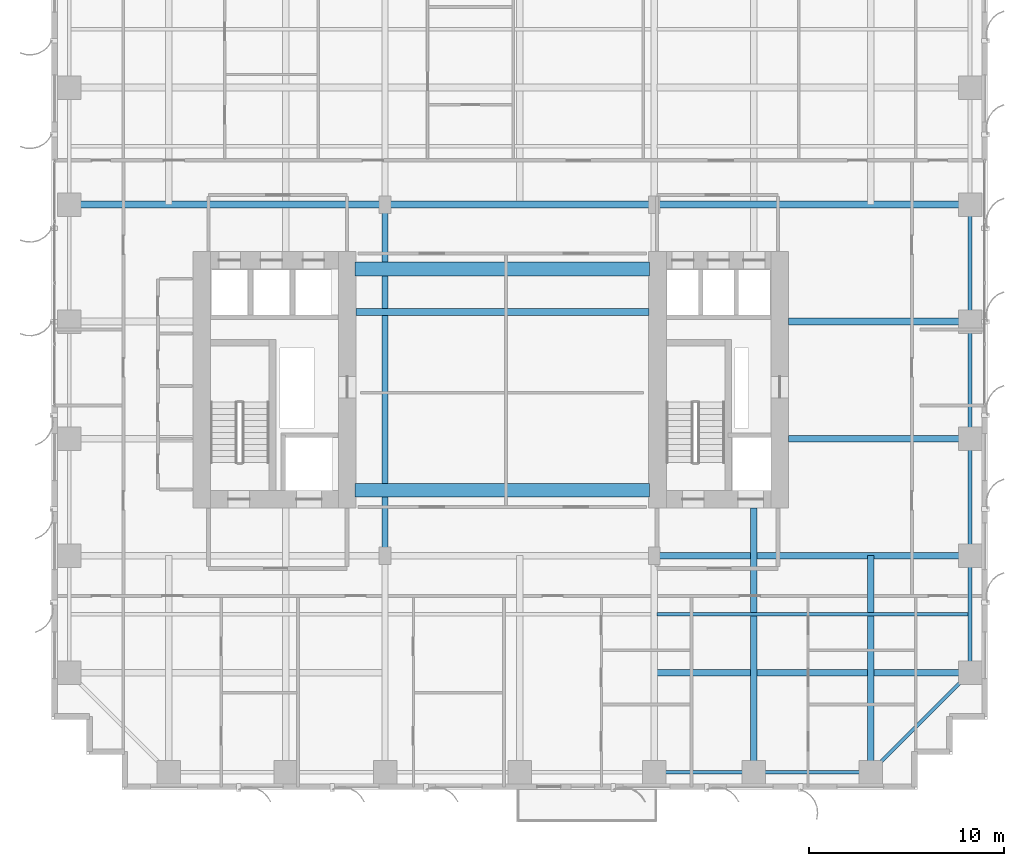
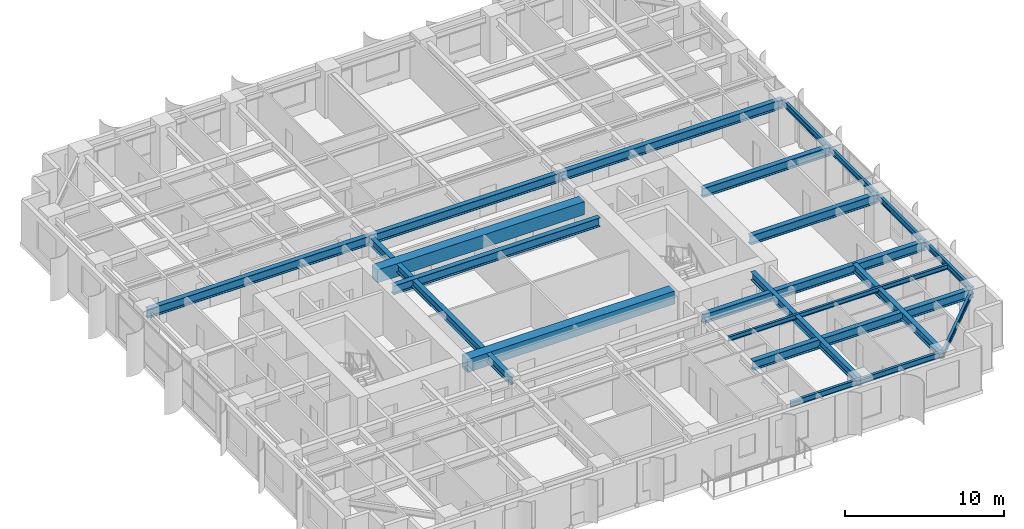
# One storey, part 3 of 17: 21 beams.
"""IFC4 building model written with IfcOpenShell, lengths in metres."""

from ifc_helpers import new_model, si_unit, direction, frame, origin, origin_2d, place, context, subcontext, project, spatial, rectangle, i_section, extrude, source, transform, mapped, material, material_profile, profile_set, type_object, element, save


model = new_model("IFC4")

# Units and contexts
model_context = context("Model", 3, precision=1e-05, world=origin(), true_north=direction((0.0, 1.0)))
body_context = subcontext(model_context, "Body", "Model", "MODEL_VIEW")
ifc_project = project(units=[si_unit("LENGTHUNIT", "METRE"), si_unit("AREAUNIT", "SQUARE_METRE"), si_unit("VOLUMEUNIT", "CUBIC_METRE"), si_unit("PLANEANGLEUNIT", "RADIAN"), si_unit("MASSUNIT", "GRAM", prefix="KILO")], contexts=[model_context])

# Site, building, storey
site_placement = place(None, origin())
site = spatial("IfcSite", under=ifc_project, at=site_placement, CompositionType="ELEMENT")
building_placement = place(site_placement, origin())
building = spatial("IfcBuilding", under=site, at=building_placement, Name="Khoralis Quay Care Tower", CompositionType="ELEMENT")
storey_placement = place(building_placement, frame((0.0, 0.0, 58.5)))
storey = spatial("IfcBuildingStorey", under=building, at=storey_placement, Name="L15", CompositionType="ELEMENT", Elevation=58.5)

# Beams
ifc_material_1 = material(Name="Concrete C80/95", Category="concrete")
ifc_material_profile_1 = material_profile(ifc_material_1, rectangle(XDim=0.699951171875, YDim=1.0, at=origin_2d()), Name="Concrete C80/95")
ifc_profile_set_1 = profile_set([ifc_material_profile_1], Name="Concrete C80/95")
beam_type_1 = type_object("IfcBeamType", Name="CB-RC700X1000", PredefinedType="LINTEL", material=ifc_profile_set_1)
shared_shape_1 = source(origin(), body_context, "Body", "SweptSolid", [
    extrude(rectangle(XDim=0.699951171875, YDim=1.0, at=origin_2d()), origin(), (0.0, 0.0, 1.0), 15.079833984375),
])
for number, where, z_axis, x_axis, name in (
    (1, (15.570068359375, 15.35009765625, 2.820068359375), (1.0, 0.0, 0.0), (0.0, 1.0, 0.0), "L15 South Core Coupling Lintel"),
    (2, (15.570068359375, 26.699951171875, 2.820068359375), (1.0, 0.0, 0.0), (0.0, 1.0, 0.0), "L15 North Core Coupling Lintel"),
):
    element("IfcBeam", number, at=place(storey_placement, frame(where, z_axis=z_axis, x_axis=x_axis)), inside=storey, type_object=beam_type_1, Name=name, PredefinedType="LINTEL", context=body_context, shape_type="MappedRepresentation", body=[
        mapped(shared_shape_1, transform((0.0, 0.0, 0.0), scale=1.0)),
    ])
ifc_material_2 = material(Name="Steel S355", Category="steel")
ifc_material_profile_2 = material_profile(ifc_material_2, i_section(OverallWidth=0.18994140625, OverallDepth=0.449951171875, WebThickness=0.009521484375, FlangeThickness=0.0146484375, FilletRadius=0.02099609375, at=origin_2d()), Name="Steel S355")
ifc_profile_set_2 = profile_set([ifc_material_profile_2], Name="Steel S355")
beam_type_2 = type_object("IfcBeamType", Name="BM-IPE450", PredefinedType="SPANDREL", material=ifc_profile_set_2)
shared_shape_2 = source(origin(), body_context, "Body", "SweptSolid", [
    extrude(i_section(OverallWidth=0.18994140625, OverallDepth=0.449951171875, WebThickness=0.009521484375, FlangeThickness=0.0146484375, FilletRadius=0.02099609375, at=origin_2d()), origin(), (0.0, 0.0, 1.0), 6.0),
])
for number, where, z_axis, x_axis, name in (
    (3, (36.0, 0.89990234375, 3.094970703125), (1.0, 0.0, 0.0), (0.0, 1.0, 0.0), "BM-TSP-L15-06"),
    (4, (47.10009765625, 6.0, 3.094970703125), (0.0, 1.0, 0.0), (-1.0, 0.0, 0.0), "BM-TSP-L15-19"),
    (5, (47.10009765625, 12.0, 3.094970703125), (0.0, 1.0, 0.0), (-1.0, 0.0, 0.0), "BM-TSP-L15-20"),
    (6, (47.10009765625, 18.0, 3.094970703125), (0.0, 1.0, 0.0), (-1.0, 0.0, 0.0), "BM-TSP-L15-21"),
    (7, (47.10009765625, 24.0, 3.094970703125), (0.0, 1.0, 0.0), (-1.0, 0.0, 0.0), "BM-TSP-L15-22"),
):
    element("IfcBeam", number, at=place(storey_placement, frame(where, z_axis=z_axis, x_axis=x_axis)), inside=storey, type_object=beam_type_2, Name=name, PredefinedType="SPANDREL", context=body_context, shape_type="MappedRepresentation", body=[
        mapped(shared_shape_2, transform((0.0, 0.0, 0.0), scale=1.0)),
    ])
shared_shape_3 = source(origin(), body_context, "Body", "SweptSolid", [
    extrude(i_section(OverallWidth=0.18994140625, OverallDepth=0.449951171875, WebThickness=0.009521484375, FlangeThickness=0.0146484375, FilletRadius=0.02099609375, at=origin_2d()), origin(), (0.0, 0.0, 1.0), 5.10009765625),
])
beam_1_placement = place(storey_placement, frame((30.89990234375, 0.89990234375, 3.094970703125), z_axis=(1.0, 0.0, 0.0), x_axis=(0.0, 1.0, 0.0)))
element("IfcBeam", 8, at=beam_1_placement, inside=storey, type_object=beam_type_2, Name="BM-TSP-L15-05", PredefinedType="SPANDREL", context=body_context, shape_type="MappedRepresentation", body=[
    mapped(shared_shape_3, transform((0.0, 0.0, 0.0), scale=1.0)),
])
shared_shape_4 = source(origin(), body_context, "Body", "SweptSolid", [
    extrude(i_section(OverallWidth=0.18994140625, OverallDepth=0.449951171875, WebThickness=0.009521484375, FlangeThickness=0.0146484375, FilletRadius=0.02099609375, at=origin_2d()), origin(), (0.0, 0.0, 1.0), 7.212646484375),
])
beam_2_placement = place(storey_placement, frame((42.0, 0.89990234375, 3.094970703125), z_axis=(0.707106781187, 0.707106781187, 0.0), x_axis=(-0.707106781187, 0.707106781187, 0.0)))
element("IfcBeam", 9, at=beam_2_placement, inside=storey, type_object=beam_type_2, Name="BM-TCR-L15-26", PredefinedType="SPANDREL", context=body_context, shape_type="MappedRepresentation", body=[
    mapped(shared_shape_4, transform((0.0, 0.0, 0.0), scale=1.0)),
])
ifc_material_profile_3 = material_profile(ifc_material_2, i_section(OverallWidth=0.35498046875, OverallDepth=0.695068359375, WebThickness=0.015380859375, FlangeThickness=0.02490234375, FilletRadius=0.02001953125, at=origin_2d()), Name="Steel S355")
ifc_profile_set_3 = profile_set([ifc_material_profile_3], Name="Steel S355")
beam_type_3 = type_object("IfcBeamType", Name="BM-W690X217", PredefinedType="BEAM", material=ifc_profile_set_3)
shared_shape_5 = source(origin(), body_context, "Body", "SweptSolid", [
    extrude(i_section(OverallWidth=0.35498046875, OverallDepth=0.695068359375, WebThickness=0.015380859375, FlangeThickness=0.02490234375, FilletRadius=0.02001953125, at=origin_2d()), origin(), (0.0, 0.0, 1.0), 16.049560546875),
])
beam_3_placement = place(storey_placement, frame((31.050537109375, 6.0, 2.972412109375), z_axis=(1.0, 0.0, 0.0), x_axis=(0.0, 1.0, 0.0)))
element("IfcBeam", 10, at=beam_3_placement, inside=storey, type_object=beam_type_3, Name="BM-TGXE-L15-60", PredefinedType="BEAM", context=body_context, shape_type="MappedRepresentation", body=[
    mapped(shared_shape_5, transform((0.0, 0.0, 0.0), scale=1.0)),
])
shared_shape_6 = source(origin(), body_context, "Body", "SweptSolid", [
    extrude(i_section(OverallWidth=0.35498046875, OverallDepth=0.695068359375, WebThickness=0.015380859375, FlangeThickness=0.02490234375, FilletRadius=0.02001953125, at=origin_2d()), origin(), (0.0, 0.0, 1.0), 16.2001953125),
])
for number, where, z_axis, x_axis, name in (
    (11, (0.89990234375, 30.0, 2.972412109375), (1.0, 0.0, 0.0), (0.0, 1.0, 0.0), "BM-TGXW-L15-300"),
    (12, (30.89990234375, 12.0, 2.972412109375), (1.0, 0.0, 0.0), (0.0, 1.0, 0.0), "BM-TGXE-L15-120"),
    (13, (30.89990234375, 30.0, 2.972412109375), (1.0, 0.0, 0.0), (0.0, 1.0, 0.0), "BM-TGXE-L15-300"),
):
    element("IfcBeam", number, at=place(storey_placement, frame(where, z_axis=z_axis, x_axis=x_axis)), inside=storey, type_object=beam_type_3, Name=name, PredefinedType="BEAM", context=body_context, shape_type="MappedRepresentation", body=[
        mapped(shared_shape_6, transform((0.0, 0.0, 0.0), scale=1.0)),
    ])
shared_shape_7 = source(origin(), body_context, "Body", "SweptSolid", [
    extrude(i_section(OverallWidth=0.35498046875, OverallDepth=0.695068359375, WebThickness=0.015380859375, FlangeThickness=0.02490234375, FilletRadius=0.02001953125, at=origin_2d()), origin(), (0.0, 0.0, 1.0), 9.302001953125),
])
for number, where, z_axis, x_axis, name in (
    (14, (37.798095703125, 18.0, 2.972412109375), (1.0, 0.0, 0.0), (0.0, 1.0, 0.0), "BM-TGXE-L15-180"),
    (15, (37.798095703125, 24.0, 2.972412109375), (1.0, 0.0, 0.0), (0.0, 1.0, 0.0), "BM-TGXE-L15-240"),
):
    element("IfcBeam", number, at=place(storey_placement, frame(where, z_axis=z_axis, x_axis=x_axis)), inside=storey, type_object=beam_type_3, Name=name, PredefinedType="BEAM", context=body_context, shape_type="MappedRepresentation", body=[
        mapped(shared_shape_7, transform((0.0, 0.0, 0.0), scale=1.0)),
    ])
shared_shape_8 = source(origin(), body_context, "Body", "SweptSolid", [
    extrude(i_section(OverallWidth=0.35498046875, OverallDepth=0.695068359375, WebThickness=0.015380859375, FlangeThickness=0.02490234375, FilletRadius=0.02001953125, at=origin_2d()), origin(), (0.0, 0.0, 1.0), 13.7998046875),
])
beam_4_placement = place(storey_placement, frame((17.10009765625, 30.0, 2.972412109375), z_axis=(1.0, 0.0, 0.0), x_axis=(0.0, 1.0, 0.0)))
element("IfcBeam", 16, at=beam_4_placement, inside=storey, type_object=beam_type_3, Name="BM-TGCC-L15-300", PredefinedType="BEAM", context=body_context, shape_type="MappedRepresentation", body=[
    mapped(shared_shape_8, transform((0.0, 0.0, 0.0), scale=1.0)),
])
shared_shape_9 = source(origin(), body_context, "Body", "SweptSolid", [
    extrude(i_section(OverallWidth=0.35498046875, OverallDepth=0.695068359375, WebThickness=0.015380859375, FlangeThickness=0.02490234375, FilletRadius=0.02001953125, at=origin_2d()), origin(), (0.0, 0.0, 1.0), 15.024169921875),
])
beam_5_placement = place(storey_placement, frame((15.597900390625, 24.5, 2.972412109375), z_axis=(1.0, 0.0, 0.0), x_axis=(0.0, 1.0, 0.0)))
element("IfcBeam", 17, at=beam_5_placement, inside=storey, type_object=beam_type_3, Name="BM-TGCC-L15-245", PredefinedType="BEAM", context=body_context, shape_type="MappedRepresentation", body=[
    mapped(shared_shape_9, transform((0.0, 0.0, 0.0), scale=1.0)),
])
ifc_material_profile_4 = material_profile(ifc_material_2, i_section(OverallWidth=0.324951171875, OverallDepth=0.615966796875, WebThickness=0.013916015625, FlangeThickness=0.021484375, FilletRadius=0.01806640625, at=origin_2d()), Name="Steel S355")
ifc_profile_set_4 = profile_set([ifc_material_profile_4], Name="Steel S355")
beam_type_4 = type_object("IfcBeamType", Name="BM-W610X174", PredefinedType="BEAM", material=ifc_profile_set_4)
shared_shape_10 = source(origin(), body_context, "Body", "SweptSolid", [
    extrude(i_section(OverallWidth=0.324951171875, OverallDepth=0.615966796875, WebThickness=0.013916015625, FlangeThickness=0.021484375, FilletRadius=0.01806640625, at=origin_2d()), origin(), (0.0, 0.0, 1.0), 11.10009765625),
])
beam_6_placement = place(storey_placement, frame((42.0, 0.89990234375, 3.011962890625), z_axis=(0.0, 1.0, 0.0), x_axis=(-1.0, 0.0, 0.0)))
element("IfcBeam", 18, at=beam_6_placement, inside=storey, type_object=beam_type_4, Name="BM-TGYS-L15-420", PredefinedType="BEAM", context=body_context, shape_type="MappedRepresentation", body=[
    mapped(shared_shape_10, transform((0.0, 0.0, 0.0), scale=1.0)),
])
shared_shape_11 = source(origin(), body_context, "Body", "SweptSolid", [
    extrude(i_section(OverallWidth=0.324951171875, OverallDepth=0.615966796875, WebThickness=0.013916015625, FlangeThickness=0.021484375, FilletRadius=0.01806640625, at=origin_2d()), origin(), (0.0, 0.0, 1.0), 13.552001953125),
])
beam_7_placement = place(storey_placement, frame((36.0, 0.89990234375, 3.011962890625), z_axis=(0.0, 1.0, 0.0), x_axis=(-1.0, 0.0, 0.0)))
element("IfcBeam", 19, at=beam_7_placement, inside=storey, type_object=beam_type_4, Name="BM-TGYS-L15-360", PredefinedType="BEAM", context=body_context, shape_type="MappedRepresentation", body=[
    mapped(shared_shape_11, transform((0.0, 0.0, 0.0), scale=1.0)),
])
shared_shape_12 = source(origin(), body_context, "Body", "SweptSolid", [
    extrude(i_section(OverallWidth=0.324951171875, OverallDepth=0.615966796875, WebThickness=0.013916015625, FlangeThickness=0.021484375, FilletRadius=0.01806640625, at=origin_2d()), origin(), (0.0, 0.0, 1.0), 18.0),
])
beam_8_placement = place(storey_placement, frame((17.10009765625, 12.0, 3.011962890625), z_axis=(0.0, 1.0, 0.0), x_axis=(-1.0, 0.0, 0.0)))
element("IfcBeam", 20, at=beam_8_placement, inside=storey, type_object=beam_type_4, Name="BM-TGSW-L15", PredefinedType="BEAM", context=body_context, shape_type="MappedRepresentation", body=[
    mapped(shared_shape_12, transform((0.0, 0.0, 0.0), scale=1.0)),
])
ifc_material_profile_5 = material_profile(ifc_material_2, i_section(OverallWidth=0.1708984375, OverallDepth=0.35498046875, WebThickness=0.007080078125, FlangeThickness=0.01171875, FilletRadius=0.012939453125, at=origin_2d()), Name="Steel S355")
ifc_profile_set_5 = profile_set([ifc_material_profile_5], Name="Steel S355")
beam_type_5 = type_object("IfcBeamType", Name="BM-W360X51", PredefinedType="JOIST", material=ifc_profile_set_5)
shared_shape_13 = source(origin(), body_context, "Body", "SweptSolid", [
    extrude(i_section(OverallWidth=0.1708984375, OverallDepth=0.35498046875, WebThickness=0.007080078125, FlangeThickness=0.01171875, FilletRadius=0.012939453125, at=origin_2d()), origin(), (0.0, 0.0, 1.0), 15.968505859375),
])
beam_9_placement = place(storey_placement, frame((31.050537109375, 9.0, 3.142578125), z_axis=(1.0, 0.0, 0.0), x_axis=(0.0, 1.0, 0.0)))
element("IfcBeam", 21, at=beam_9_placement, inside=storey, type_object=beam_type_5, Name="BM-TJS-L15-30", PredefinedType="JOIST", context=body_context, shape_type="MappedRepresentation", body=[
    mapped(shared_shape_13, transform((0.0, 0.0, 0.0), scale=1.0)),
])

save(model, "model.ifc")
